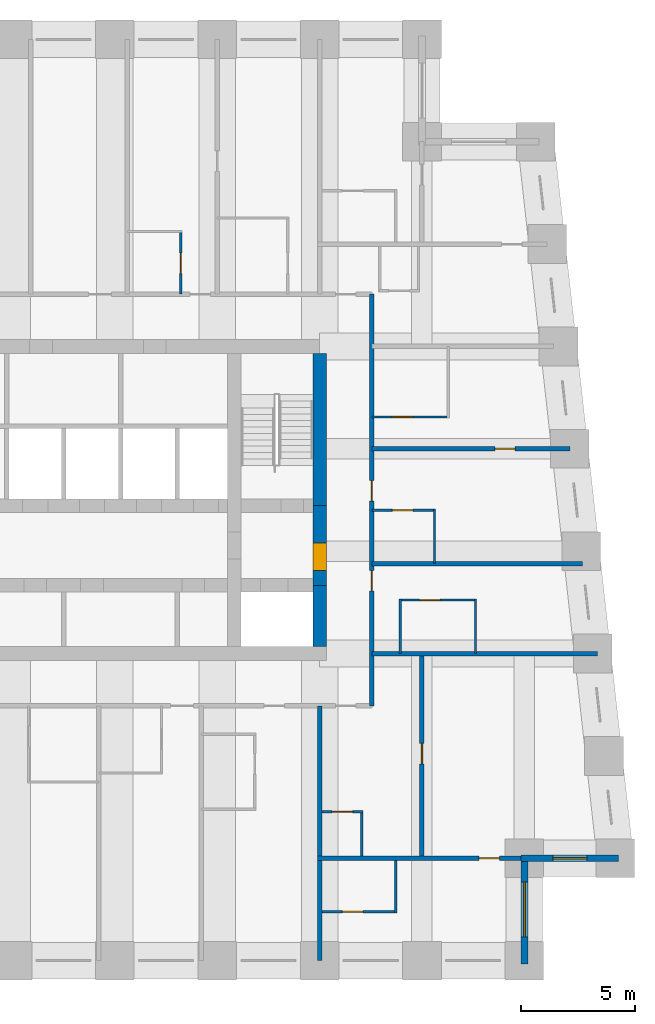
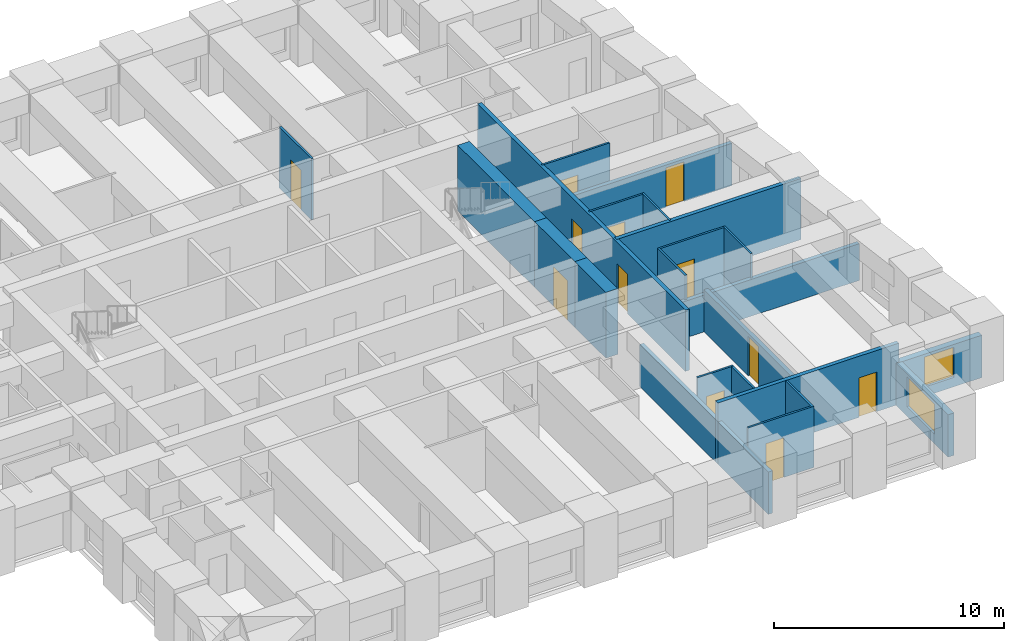
# One storey, part 5 of 8: 23 walls, 12 doors, 2 windows, 14 openings.
"""IFC4 building model written with IfcOpenShell, lengths in metres."""

from ifc_helpers import new_model, si_unit, direction, frame, frame_2d, origin, place, context, subcontext, project, spatial, rectangle, extrude, material, layer, layer_set, type_object, element, fill, save


model = new_model("IFC4")

# Units and contexts
model_context = context("Model", 3, precision=1e-05, world=origin(), true_north=direction((0.0, 1.0)))
body_context = subcontext(model_context, "Body", "Model", "MODEL_VIEW")
ifc_project = project(units=[si_unit("LENGTHUNIT", "METRE"), si_unit("AREAUNIT", "SQUARE_METRE"), si_unit("VOLUMEUNIT", "CUBIC_METRE"), si_unit("PLANEANGLEUNIT", "RADIAN"), si_unit("MASSUNIT", "GRAM", prefix="KILO")], contexts=[model_context])

# Site, building, storey
site_placement = place(None, origin())
site = spatial("IfcSite", under=ifc_project, at=site_placement, CompositionType="ELEMENT")
building_placement = place(site_placement, origin())
building = spatial("IfcBuilding", under=site, at=building_placement, Name="Kilele Tower Hotel", CompositionType="ELEMENT")
storey_placement = place(building_placement, frame((0.0, 0.0, 197.39990234375)))
storey = spatial("IfcBuildingStorey", under=building, at=storey_placement, Name="L51", CompositionType="ELEMENT", Elevation=197.39990234375)

# Walls
ifc_material_1 = material(Name="Moisture-resistant board")
ifc_layer_1 = layer(ifc_material_1, 0.10009765625)
ifc_layer_set_1 = layer_set([ifc_layer_1], Name="Moisture-resistant board")
wall_type_1 = type_object("IfcWallType", Name="Bathroom partition 100", PredefinedType="PLUMBINGWALL", material=ifc_layer_set_1)
for number, where, z_axis, x_axis, name in (
    (1, (39.550048828125, 13.5, 0.0), (0.0, 0.0, 1.0), (0.0, 1.0, 0.0), "Bathroom partition 100 L51"),
    (2, (42.85009765625, 13.5, 0.0), (0.0, 0.0, 1.0), (0.0, 1.0, 0.0), "Bathroom partition 100 L51"),
):
    element("IfcWall", number, at=place(storey_placement, frame(where, z_axis=z_axis, x_axis=x_axis)), inside=storey, type_object=wall_type_1, Name=name, PredefinedType="PLUMBINGWALL", context=body_context, shape_type="SweptSolid", body=[
        extrude(rectangle(XDim=2.39990234375, YDim=0.10009765625, at=frame_2d((1.199951171875, 0.0))), origin(), (0.0, 0.0, 1.0), 3.25),
    ])

# Wall, opening, door
wall_1_placement = place(storey_placement, frame((39.5, 15.85009765625, 0.0), z_axis=(0.0, 0.0, 1.0), x_axis=(1.0, 0.0, 0.0)))
wall_1 = element("IfcWall", 3, at=wall_1_placement, inside=storey, type_object=wall_type_1, Name="Bathroom partition 100 L51", PredefinedType="PLUMBINGWALL", context=body_context, shape_type="SweptSolid", body=[
    extrude(rectangle(XDim=3.39990234375, YDim=0.10009765625, at=frame_2d((1.699951171875, 0.0))), origin(), (0.0, 0.0, 1.0), 3.25),
])
opening_1_placement = place(wall_1_placement, frame((0.89990234375, 0.0, 0.0)))
opening_1 = element("IfcOpeningElement", 4, at=opening_1_placement, cuts=wall_1, Name="Opening D2A", PredefinedType="OPENING", context=body_context, shape_type="SweptSolid", body=[
    extrude(rectangle(XDim=0.89990234375, YDim=2.10009765625, at=frame_2d((0.449951171875, 1.050048828125))), frame((0.0, 0.06005859375, 0.0), z_axis=(0.0, -1.0, 0.0), x_axis=(1.0, 0.0, 0.0)), (0.0, 0.0, 1.0), 0.1201171875),
])
ifc_material_2 = material(Name="Timber door leaf in hardwood frame", Category="wood")
door_type_1 = type_object("IfcDoorType", Name="Bathroom door 900", OperationType="SINGLE_SWING_LEFT", PredefinedType="DOOR", material=ifc_material_2)
door_1_placement = place(opening_1_placement, origin())
door_1 = element("IfcDoor", 5, at=door_1_placement, inside=storey, type_object=door_type_1, Name="Bathroom door 5106B", OperationType="SINGLE_SWING_LEFT", OverallHeight=2.10009765625, OverallWidth=0.89990234375, PredefinedType="DOOR", context=body_context, shape_type="SweptSolid", body=[
    extrude(rectangle(XDim=0.89990234375, YDim=2.10009765625, at=frame_2d((0.449951171875, 1.050048828125))), frame((0.0, 0.02490234375, 0.0), z_axis=(0.0, -1.0, 0.0), x_axis=(1.0, 0.0, 0.0)), (0.0, 0.0, 1.0), 0.050048828125),
])
fill(opening_1, door_1)

# Wall
wall_2_placement = place(storey_placement, frame((41.050048828125, 17.449951171875, 0.0), z_axis=(0.0, 0.0, 1.0), x_axis=(0.0, 1.0, 0.0)))
element("IfcWall", 6, at=wall_2_placement, inside=storey, type_object=wall_type_1, Name="Bathroom partition 100 L51", PredefinedType="PLUMBINGWALL", context=body_context, shape_type="SweptSolid", body=[
    extrude(rectangle(XDim=2.400146484375, YDim=0.10009765625, at=frame_2d((1.2001953125, 0.0))), origin(), (0.0, 0.0, 1.0), 3.25),
])

# Wall, opening, door
wall_3_placement = place(storey_placement, frame((38.300048828125, 19.800048828125, 0.0), z_axis=(0.0, 0.0, 1.0), x_axis=(1.0, 0.0, 0.0)))
wall_3 = element("IfcWall", 7, at=wall_3_placement, inside=storey, type_object=wall_type_1, Name="Bathroom partition 100 L51", PredefinedType="PLUMBINGWALL", context=body_context, shape_type="SweptSolid", body=[
    extrude(rectangle(XDim=2.800048828125, YDim=0.10009765625, at=frame_2d((1.39990234375, 0.0))), origin(), (0.0, 0.0, 1.0), 3.25),
])
opening_2_placement = place(wall_3_placement, frame((0.89990234375, 0.0, 0.0)))
opening_2 = element("IfcOpeningElement", 8, at=opening_2_placement, cuts=wall_3, Name="Opening D2A", PredefinedType="OPENING", context=body_context, shape_type="SweptSolid", body=[
    extrude(rectangle(XDim=0.89990234375, YDim=2.10009765625, at=frame_2d((0.449951171875, 1.050048828125))), frame((0.0, 0.06005859375, 0.0), z_axis=(0.0, -1.0, 0.0), x_axis=(1.0, 0.0, 0.0)), (0.0, 0.0, 1.0), 0.1201171875),
])
door_2_placement = place(opening_2_placement, origin())
door_2 = element("IfcDoor", 9, at=door_2_placement, inside=storey, type_object=door_type_1, Name="Bathroom door 5107B", OperationType="SINGLE_SWING_LEFT", OverallHeight=2.10009765625, OverallWidth=0.89990234375, PredefinedType="DOOR", context=body_context, shape_type="SweptSolid", body=[
    extrude(rectangle(XDim=0.89990234375, YDim=2.10009765625, at=frame_2d((0.449951171875, 1.050048828125))), frame((0.0, 0.02490234375, 0.0), z_axis=(0.0, -1.0, 0.0), x_axis=(1.0, 0.0, 0.0)), (0.0, 0.0, 1.0), 0.050048828125),
])
fill(opening_2, door_2)

wall_4_placement = place(storey_placement, frame((38.300048828125, 23.89990234375, 0.0), z_axis=(0.0, 0.0, 1.0), x_axis=(1.0, 0.0, 0.0)))
wall_4 = element("IfcWall", 10, at=wall_4_placement, inside=storey, type_object=wall_type_1, Name="Bathroom partition 100 L51", PredefinedType="PLUMBINGWALL", context=body_context, shape_type="SweptSolid", body=[
    extrude(rectangle(XDim=3.39990234375, YDim=0.10009765625, at=frame_2d((1.699951171875, 0.0))), origin(), (0.0, 0.0, 1.0), 3.25),
])
opening_3_placement = place(wall_4_placement, frame((1.7998046875, 0.0, 0.0), z_axis=(0.0, 0.0, 1.0), x_axis=(-1.0, 0.0, 0.0)))
opening_3 = element("IfcOpeningElement", 11, at=opening_3_placement, cuts=wall_4, Name="Opening D2A", PredefinedType="OPENING", context=body_context, shape_type="SweptSolid", body=[
    extrude(rectangle(XDim=0.89990234375, YDim=2.10009765625, at=frame_2d((0.449951171875, 1.050048828125))), frame((0.0, 0.06005859375, 0.0), z_axis=(0.0, -1.0, 0.0), x_axis=(1.0, 0.0, 0.0)), (0.0, 0.0, 1.0), 0.1201171875),
])
door_3_placement = place(opening_3_placement, origin())
door_3 = element("IfcDoor", 12, at=door_3_placement, inside=storey, type_object=door_type_1, Name="Bathroom door 5108B", OperationType="SINGLE_SWING_RIGHT", OverallHeight=2.10009765625, OverallWidth=0.89990234375, PredefinedType="DOOR", context=body_context, shape_type="SweptSolid", body=[
    extrude(rectangle(XDim=0.89990234375, YDim=2.10009765625, at=frame_2d((0.449951171875, 1.050048828125))), frame((0.0, 0.02490234375, 0.0), z_axis=(0.0, -1.0, 0.0), x_axis=(1.0, 0.0, 0.0)), (0.0, 0.0, 1.0), 0.050048828125),
])
fill(opening_3, door_3)

wall_5_placement = place(storey_placement, frame((29.89990234375, 29.300048828125, 0.0), z_axis=(0.0, 0.0, 1.0), x_axis=(0.0, 1.0, 0.0)))
wall_5 = element("IfcWall", 13, at=wall_5_placement, inside=storey, type_object=wall_type_1, Name="Bathroom partition 100 L51", PredefinedType="PLUMBINGWALL", context=body_context, shape_type="SweptSolid", body=[
    extrude(rectangle(XDim=2.800048828125, YDim=0.10009765625, at=frame_2d((1.39990234375, 0.0))), origin(), (0.0, 0.0, 1.0), 3.25),
])
opening_4_placement = place(wall_5_placement, frame((1.7998046875, 0.0, 0.0), z_axis=(0.0, 0.0, 1.0), x_axis=(-1.0, 0.0, 0.0)))
opening_4 = element("IfcOpeningElement", 14, at=opening_4_placement, cuts=wall_5, Name="Opening D2A", PredefinedType="OPENING", context=body_context, shape_type="SweptSolid", body=[
    extrude(rectangle(XDim=0.89990234375, YDim=2.10009765625, at=frame_2d((0.449951171875, 1.050048828125))), frame((0.0, 0.06005859375, 0.0), z_axis=(0.0, -1.0, 0.0), x_axis=(1.0, 0.0, 0.0)), (0.0, 0.0, 1.0), 0.1201171875),
])
door_4_placement = place(opening_4_placement, origin())
door_4 = element("IfcDoor", 15, at=door_4_placement, inside=storey, type_object=door_type_1, Name="Bathroom door 5112B", OperationType="SINGLE_SWING_RIGHT", OverallHeight=2.10009765625, OverallWidth=0.89990234375, PredefinedType="DOOR", context=body_context, shape_type="SweptSolid", body=[
    extrude(rectangle(XDim=0.89990234375, YDim=2.10009765625, at=frame_2d((0.449951171875, 1.050048828125))), frame((0.0, 0.02490234375, 0.0), z_axis=(0.0, -1.0, 0.0), x_axis=(1.0, 0.0, 0.0)), (0.0, 0.0, 1.0), 0.050048828125),
])
fill(opening_4, door_4)

# Wall
wall_6_placement = place(storey_placement, frame((37.85009765625, 4.60009765625, 0.0), z_axis=(0.0, 0.0, 1.0), x_axis=(0.0, 1.0, 0.0)))
element("IfcWall", 16, at=wall_6_placement, inside=storey, type_object=wall_type_1, Name="Bathroom partition 100 L51", PredefinedType="PLUMBINGWALL", context=body_context, shape_type="SweptSolid", body=[
    extrude(rectangle(XDim=2.0, YDim=0.10009765625, at=frame_2d((1.0, 0.0))), origin(), (0.0, 0.0, 1.0), 3.25),
])

# Wall, opening, door
wall_7_placement = place(storey_placement, frame((36.10009765625, 6.550048828125, 0.0), z_axis=(0.0, 0.0, 1.0), x_axis=(1.0, 0.0, 0.0)))
wall_7 = element("IfcWall", 17, at=wall_7_placement, inside=storey, type_object=wall_type_1, Name="Bathroom partition 100 L51", PredefinedType="PLUMBINGWALL", context=body_context, shape_type="SweptSolid", body=[
    extrude(rectangle(XDim=1.7998046875, YDim=0.10009765625, at=frame_2d((0.89990234375, 0.0))), origin(), (0.0, 0.0, 1.0), 3.25),
])
opening_5_placement = place(wall_7_placement, frame((0.449951171875, 0.0, 0.0)))
opening_5 = element("IfcOpeningElement", 18, at=opening_5_placement, cuts=wall_7, Name="Opening D2A", PredefinedType="OPENING", context=body_context, shape_type="SweptSolid", body=[
    extrude(rectangle(XDim=0.89990234375, YDim=2.10009765625, at=frame_2d((0.449951171875, 1.050048828125))), frame((0.0, 0.06005859375, 0.0), z_axis=(0.0, -1.0, 0.0), x_axis=(1.0, 0.0, 0.0)), (0.0, 0.0, 1.0), 0.1201171875),
])
door_5_placement = place(opening_5_placement, origin())
door_5 = element("IfcDoor", 19, at=door_5_placement, inside=storey, type_object=door_type_1, Name="Bathroom door 5119P", OperationType="SINGLE_SWING_LEFT", OverallHeight=2.10009765625, OverallWidth=0.89990234375, PredefinedType="DOOR", context=body_context, shape_type="SweptSolid", body=[
    extrude(rectangle(XDim=0.89990234375, YDim=2.10009765625, at=frame_2d((0.449951171875, 1.050048828125))), frame((0.0, 0.02490234375, 0.0), z_axis=(0.0, -1.0, 0.0), x_axis=(1.0, 0.0, 0.0)), (0.0, 0.0, 1.0), 0.050048828125),
])
fill(opening_5, door_5)

# Wall
wall_8_placement = place(storey_placement, frame((39.35009765625, 4.39990234375, 0.0), z_axis=(0.0, 0.0, 1.0), x_axis=(0.0, -1.0, 0.0)))
element("IfcWall", 20, at=wall_8_placement, inside=storey, type_object=wall_type_1, Name="Bathroom partition 100 L51", PredefinedType="PLUMBINGWALL", context=body_context, shape_type="SweptSolid", body=[
    extrude(rectangle(XDim=2.2998046875, YDim=0.10009765625, at=frame_2d((1.14990234375, 0.0))), origin(), (0.0, 0.0, 1.0), 3.25),
])

# Wall, opening, door
wall_9_placement = place(storey_placement, frame((36.10009765625, 2.14990234375, 0.0), z_axis=(0.0, 0.0, 1.0), x_axis=(1.0, 0.0, 0.0)))
wall_9 = element("IfcWall", 21, at=wall_9_placement, inside=storey, type_object=wall_type_1, Name="Bathroom partition 100 L51", PredefinedType="PLUMBINGWALL", context=body_context, shape_type="SweptSolid", body=[
    extrude(rectangle(XDim=3.2998046875, YDim=0.10009765625, at=frame_2d((1.64990234375, 0.0))), origin(), (0.0, 0.0, 1.0), 3.25),
])
opening_6_placement = place(wall_9_placement, frame((1.7998046875, 0.0, 0.0), z_axis=(0.0, 0.0, 1.0), x_axis=(-1.0, 0.0, 0.0)))
opening_6 = element("IfcOpeningElement", 22, at=opening_6_placement, cuts=wall_9, Name="Opening D2A", PredefinedType="OPENING", context=body_context, shape_type="SweptSolid", body=[
    extrude(rectangle(XDim=0.89990234375, YDim=2.10009765625, at=frame_2d((0.449951171875, 1.050048828125))), frame((0.0, 0.06005859375, 0.0), z_axis=(0.0, -1.0, 0.0), x_axis=(1.0, 0.0, 0.0)), (0.0, 0.0, 1.0), 0.1201171875),
])
door_6_placement = place(opening_6_placement, origin())
door_6 = element("IfcDoor", 23, at=door_6_placement, inside=storey, type_object=door_type_1, Name="Bathroom door 5121B", OperationType="SINGLE_SWING_RIGHT", OverallHeight=2.10009765625, OverallWidth=0.89990234375, PredefinedType="DOOR", context=body_context, shape_type="SweptSolid", body=[
    extrude(rectangle(XDim=0.89990234375, YDim=2.10009765625, at=frame_2d((0.449951171875, 1.050048828125))), frame((0.0, 0.02490234375, 0.0), z_axis=(0.0, -1.0, 0.0), x_axis=(1.0, 0.0, 0.0)), (0.0, 0.0, 1.0), 0.050048828125),
])
fill(opening_6, door_6)

# Wall
ifc_material_3 = material(Name="Concrete C70/85", Category="concrete")
ifc_layer_2 = layer(ifc_material_3, 0.60009765625)
ifc_layer_set_2 = layer_set([ifc_layer_2], Name="Concrete C70/85")
wall_type_2 = type_object("IfcWallType", Name="Core wall 600 C70/85", PredefinedType="SHEAR", material=ifc_layer_set_2)
wall_10_placement = place(storey_placement, frame((36.0, 13.800048828125, 0.0), z_axis=(0.0, 0.0, 1.0), x_axis=(0.0, 1.0, 0.0)))
element("IfcWall", 24, at=wall_10_placement, inside=storey, type_object=wall_type_2, Name="Core wall E1 L51", PredefinedType="SHEAR", context=body_context, shape_type="SweptSolid", body=[
    extrude(rectangle(XDim=2.699951171875, YDim=0.60009765625, at=frame_2d((1.35009765625, 0.0))), origin(), (0.0, 0.0, 1.0), 3.5),
])

# Wall, opening, door
wall_11_placement = place(storey_placement, frame((36.0, 16.5, 0.0), z_axis=(0.0, 0.0, 1.0), x_axis=(0.0, 1.0, 0.0)))
wall_11 = element("IfcWall", 25, at=wall_11_placement, inside=storey, type_object=wall_type_2, Name="Core wall E2 L51", PredefinedType="SHEAR", context=body_context, shape_type="SweptSolid", body=[
    extrude(rectangle(XDim=3.5, YDim=0.60009765625, at=frame_2d((1.75, 0.0))), origin(), (0.0, 0.0, 1.0), 3.5),
])
opening_7_placement = place(wall_11_placement, frame((0.64990234375, 0.0, 0.0)))
opening_7 = element("IfcOpeningElement", 26, at=opening_7_placement, cuts=wall_11, Name="Opening D4", PredefinedType="OPENING", context=body_context, shape_type="SweptSolid", body=[
    extrude(rectangle(XDim=1.199951171875, YDim=2.10009765625, at=frame_2d((0.60009765625, 1.050048828125))), frame((0.0, 0.31005859375, 0.0), z_axis=(0.0, -1.0, 0.0), x_axis=(1.0, 0.0, 0.0)), (0.0, 0.0, 1.0), 0.6201171875),
])
ifc_material_4 = material(Name="Timber door leaf in hardwood frame", Category="wood")
door_type_2 = type_object("IfcDoorType", Name="Firefighting lobby door 1200", OperationType="SINGLE_SWING_LEFT", PredefinedType="DOOR", material=ifc_material_4)
door_7_placement = place(opening_7_placement, origin())
door_7 = element("IfcDoor", 27, at=door_7_placement, inside=storey, type_object=door_type_2, Name="Lobby door L51", OperationType="SINGLE_SWING_LEFT", OverallHeight=2.10009765625, OverallWidth=1.199951171875, PredefinedType="DOOR", context=body_context, shape_type="SweptSolid", body=[
    extrude(rectangle(XDim=1.199951171875, YDim=2.10009765625, at=frame_2d((0.60009765625, 1.050048828125))), frame((0.0, 0.2998046875, 0.0), z_axis=(0.0, -1.0, 0.0), x_axis=(1.0, 0.0, 0.0)), (0.0, 0.0, 1.0), 0.599609375),
])
fill(opening_7, door_7)

# Wall
wall_12_placement = place(storey_placement, frame((36.0, 20.0, 0.0), z_axis=(0.0, 0.0, 1.0), x_axis=(0.0, 1.0, 0.0)))
element("IfcWall", 28, at=wall_12_placement, inside=storey, type_object=wall_type_2, Name="Core wall E3 L51", PredefinedType="SHEAR", context=body_context, shape_type="SweptSolid", body=[
    extrude(rectangle(XDim=6.699951171875, YDim=0.60009765625, at=frame_2d((3.35009765625, 0.0))), origin(), (0.0, 0.0, 1.0), 3.5),
])

# Wall, openings, doors
ifc_material_5 = material(Name="Blockwork, plastered both sides", Category="masonry")
ifc_layer_3 = layer(ifc_material_5, 0.199951171875)
ifc_layer_set_3 = layer_set([ifc_layer_3], Name="Blockwork, plastered both sides")
wall_type_3 = type_object("IfcWallType", Name="Corridor wall 200", PredefinedType="PARTITIONING", material=ifc_layer_set_3)
wall_13_placement = place(storey_placement, frame((38.300048828125, 11.199951171875, 0.0), z_axis=(0.0, 0.0, 1.0), x_axis=(0.0, 1.0, 0.0)))
wall_13 = element("IfcWall", 29, at=wall_13_placement, inside=storey, type_object=wall_type_3, Name="Corridor wall 200 L51", PredefinedType="PARTITIONING", context=body_context, shape_type="SweptSolid", body=[
    extrude(rectangle(XDim=18.10009765625, YDim=0.199951171875, at=frame_2d((9.050048828125, 0.0))), origin(), (0.0, 0.0, 1.0), 3.25),
])
opening_8_placement = place(wall_13_placement, frame((5.949951171875, 0.0, 0.0), z_axis=(0.0, 0.0, 1.0), x_axis=(-1.0, 0.0, 0.0)))
opening_8 = element("IfcOpeningElement", 30, at=opening_8_placement, cuts=wall_13, Name="Opening D1", PredefinedType="OPENING", context=body_context, shape_type="SweptSolid", body=[
    extrude(rectangle(XDim=0.89990234375, YDim=2.10009765625, at=frame_2d((0.449951171875, 1.050048828125))), frame((0.0, 0.10986328125, 0.0), z_axis=(0.0, -1.0, 0.0), x_axis=(1.0, 0.0, 0.0)), (0.0, 0.0, 1.0), 0.219970703125),
])
opening_9_placement = place(wall_13_placement, frame((9.89990234375, 0.0, 0.0), z_axis=(0.0, 0.0, 1.0), x_axis=(-1.0, 0.0, 0.0)))
opening_9 = element("IfcOpeningElement", 31, at=opening_9_placement, cuts=wall_13, Name="Opening D1", PredefinedType="OPENING", context=body_context, shape_type="SweptSolid", body=[
    extrude(rectangle(XDim=0.89990234375, YDim=2.10009765625, at=frame_2d((0.449951171875, 1.050048828125))), frame((0.0, 0.10986328125, 0.0), z_axis=(0.0, -1.0, 0.0), x_axis=(1.0, 0.0, 0.0)), (0.0, 0.0, 1.0), 0.219970703125),
])
ifc_material_6 = material(Name="Timber door leaf in hardwood frame", Category="wood")
door_type_3 = type_object("IfcDoorType", Name="Guest room entrance door 900", OperationType="SINGLE_SWING_LEFT", PredefinedType="DOOR", material=ifc_material_6)
door_8_placement = place(opening_8_placement, origin())
door_8 = element("IfcDoor", 32, at=door_8_placement, inside=storey, type_object=door_type_3, Name="Room entrance 5106", OperationType="SINGLE_SWING_LEFT", OverallHeight=2.10009765625, OverallWidth=0.89990234375, PredefinedType="DOOR", context=body_context, shape_type="SweptSolid", body=[
    extrude(rectangle(XDim=0.89990234375, YDim=2.10009765625, at=frame_2d((0.449951171875, 1.050048828125))), frame((0.0, 0.02490234375, 0.0), z_axis=(0.0, -1.0, 0.0), x_axis=(1.0, 0.0, 0.0)), (0.0, 0.0, 1.0), 0.050048828125),
])
fill(opening_8, door_8)
door_9_placement = place(opening_9_placement, origin())
door_9 = element("IfcDoor", 33, at=door_9_placement, inside=storey, type_object=door_type_3, Name="Room entrance 5107", OperationType="SINGLE_SWING_RIGHT", OverallHeight=2.10009765625, OverallWidth=0.89990234375, PredefinedType="DOOR", context=body_context, shape_type="SweptSolid", body=[
    extrude(rectangle(XDim=0.89990234375, YDim=2.10009765625, at=frame_2d((0.449951171875, 1.050048828125))), frame((0.0, 0.02490234375, 0.0), z_axis=(0.0, -1.0, 0.0), x_axis=(1.0, 0.0, 0.0)), (0.0, 0.0, 1.0), 0.050048828125),
])
fill(opening_9, door_9)

# Wall, opening, door
ifc_material_7 = material(Name="Blockwork, plastered both sides", Category="masonry")
ifc_layer_4 = layer(ifc_material_7, 0.199951171875)
ifc_layer_set_4 = layer_set([ifc_layer_4], Name="Blockwork, plastered both sides")
wall_type_4 = type_object("IfcWallType", Name="Partition wall 200", PredefinedType="PARTITIONING", material=ifc_layer_set_4)
wall_14_placement = place(storey_placement, frame((40.5, 4.60009765625, 0.0), z_axis=(0.0, 0.0, 1.0), x_axis=(0.0, 1.0, 0.0)))
wall_14 = element("IfcWall", 34, at=wall_14_placement, inside=storey, type_object=wall_type_4, Name="Partition wall 200 L51", PredefinedType="PARTITIONING", context=body_context, shape_type="SweptSolid", body=[
    extrude(rectangle(XDim=8.7998046875, YDim=0.199951171875, at=frame_2d((4.39990234375, 0.0))), origin(), (0.0, 0.0, 1.0), 2.25),
])
opening_10_placement = place(wall_14_placement, frame((4.050048828125, 0.0, 0.0)))
opening_10 = element("IfcOpeningElement", 35, at=opening_10_placement, cuts=wall_14, Name="Opening D3", PredefinedType="OPENING", context=body_context, shape_type="SweptSolid", body=[
    extrude(rectangle(XDim=0.89990234375, YDim=2.10009765625, at=frame_2d((0.449951171875, 1.050048828125))), frame((0.0, 0.10986328125, 0.0), z_axis=(0.0, -1.0, 0.0), x_axis=(1.0, 0.0, 0.0)), (0.0, 0.0, 1.0), 0.219970703125),
])
ifc_material_8 = material(Name="Timber door leaf in hardwood frame", Category="wood")
door_type_4 = type_object("IfcDoorType", Name="Suite internal door 900", OperationType="SINGLE_SWING_LEFT", PredefinedType="DOOR", material=ifc_material_8)
door_10_placement = place(opening_10_placement, origin())
door_10 = element("IfcDoor", 36, at=door_10_placement, inside=storey, type_object=door_type_4, Name="Suite door 5120", OperationType="SINGLE_SWING_RIGHT", OverallHeight=2.10009765625, OverallWidth=0.89990234375, PredefinedType="DOOR", context=body_context, shape_type="SweptSolid", body=[
    extrude(rectangle(XDim=0.89990234375, YDim=2.10009765625, at=frame_2d((0.449951171875, 1.050048828125))), frame((0.0, 0.02490234375, 0.0), z_axis=(0.0, -1.0, 0.0), x_axis=(1.0, 0.0, 0.0)), (0.0, 0.0, 1.0), 0.050048828125),
])
fill(opening_10, door_10)

# Wall
ifc_material_9 = material(Name="Blockwork, plastered both sides", Category="masonry")
ifc_layer_5 = layer(ifc_material_9, 0.199951171875)
ifc_layer_set_5 = layer_set([ifc_layer_5], Name="Blockwork, plastered both sides")
wall_type_5 = type_object("IfcWallType", Name="Party wall 200", PredefinedType="PARTITIONING", material=ifc_layer_set_5)
wall_15_placement = place(storey_placement, frame((38.300048828125, 17.449951171875, 0.0), z_axis=(0.0, 0.0, 1.0), x_axis=(1.0, 0.0, 0.0)))
element("IfcWall", 37, at=wall_15_placement, inside=storey, type_object=wall_type_5, Name="Party wall 200 L51", PredefinedType="PARTITIONING", context=body_context, shape_type="SweptSolid", body=[
    extrude(rectangle(XDim=9.26025390625, YDim=0.199951171875, at=frame_2d((4.630126953125, 0.0))), origin(), (0.0, 0.0, 1.0), 3.25),
])

# Wall, opening, door
wall_16_placement = place(storey_placement, frame((38.300048828125, 22.5, 0.0), z_axis=(0.0, 0.0, 1.0), x_axis=(1.0, 0.0, 0.0)))
wall_16 = element("IfcWall", 38, at=wall_16_placement, inside=storey, type_object=wall_type_5, Name="Party wall 200 L51", PredefinedType="PARTITIONING", context=body_context, shape_type="SweptSolid", body=[
    extrude(rectangle(XDim=8.698974609375, YDim=0.199951171875, at=frame_2d((4.349609375, 0.0))), origin(), (0.0, 0.0, 1.0), 2.25),
])
opening_11_placement = place(wall_16_placement, frame((5.39990234375, 0.0, 0.0)))
opening_11 = element("IfcOpeningElement", 39, at=opening_11_placement, cuts=wall_16, Name="Opening D3", PredefinedType="OPENING", context=body_context, shape_type="SweptSolid", body=[
    extrude(rectangle(XDim=0.89990234375, YDim=2.10009765625, at=frame_2d((0.449951171875, 1.050048828125))), frame((0.0, 0.10986328125, 0.0), z_axis=(0.0, -1.0, 0.0), x_axis=(1.0, 0.0, 0.0)), (0.0, 0.0, 1.0), 0.219970703125),
])
door_11_placement = place(opening_11_placement, origin())
door_11 = element("IfcDoor", 40, at=door_11_placement, inside=storey, type_object=door_type_4, Name="Suite door 5108", OperationType="SINGLE_SWING_RIGHT", OverallHeight=2.10009765625, OverallWidth=0.89990234375, PredefinedType="DOOR", context=body_context, shape_type="SweptSolid", body=[
    extrude(rectangle(XDim=0.89990234375, YDim=2.10009765625, at=frame_2d((0.449951171875, 1.050048828125))), frame((0.0, 0.02490234375, 0.0), z_axis=(0.0, -1.0, 0.0), x_axis=(1.0, 0.0, 0.0)), (0.0, 0.0, 1.0), 0.050048828125),
])
fill(opening_11, door_11)

# Walls
wall_17_placement = place(storey_placement, frame((38.300048828125, 13.5, 0.0), z_axis=(0.0, 0.0, 1.0), x_axis=(1.0, 0.0, 0.0)))
element("IfcWall", 41, at=wall_17_placement, inside=storey, type_object=wall_type_5, Name="Party wall 200 L51", PredefinedType="PARTITIONING", context=body_context, shape_type="SweptSolid", body=[
    extrude(rectangle(XDim=9.921142578125, YDim=0.199951171875, at=frame_2d((4.96044921875, 0.0))), origin(), (0.0, 0.0, 1.0), 1.9501953125),
])
wall_18_placement = place(storey_placement, frame((36.0, 11.199951171875, 0.0), z_axis=(0.0, 0.0, 1.0), x_axis=(0.0, -1.0, 0.0)))
element("IfcWall", 42, at=wall_18_placement, inside=storey, type_object=wall_type_5, Name="Party wall 200 L51", PredefinedType="PARTITIONING", context=body_context, shape_type="SweptSolid", body=[
    extrude(rectangle(XDim=11.199951171875, YDim=0.199951171875, at=frame_2d((5.60009765625, 0.0))), origin(), (0.0, 0.0, 1.0), 2.25),
])

# Wall, opening, door
wall_19_placement = place(storey_placement, frame((35.89990234375, 4.5, 0.0), z_axis=(0.0, 0.0, 1.0), x_axis=(1.0, 0.0, 0.0)))
wall_19 = element("IfcWall", 43, at=wall_19_placement, inside=storey, type_object=wall_type_5, Name="Party wall 200 L51", PredefinedType="PARTITIONING", context=body_context, shape_type="SweptSolid", body=[
    extrude(rectangle(XDim=9.10009765625, YDim=0.199951171875, at=frame_2d((4.550048828125, 0.0))), origin(), (0.0, 0.0, 1.0), 3.25),
])
opening_12_placement = place(wall_19_placement, frame((7.10009765625, 0.0, 0.0)))
opening_12 = element("IfcOpeningElement", 44, at=opening_12_placement, cuts=wall_19, Name="Opening D3", PredefinedType="OPENING", context=body_context, shape_type="SweptSolid", body=[
    extrude(rectangle(XDim=0.89990234375, YDim=2.10009765625, at=frame_2d((0.449951171875, 1.050048828125))), frame((0.0, 0.10986328125, 0.0), z_axis=(0.0, -1.0, 0.0), x_axis=(1.0, 0.0, 0.0)), (0.0, 0.0, 1.0), 0.219970703125),
])
door_12_placement = place(opening_12_placement, origin())
door_12 = element("IfcDoor", 45, at=door_12_placement, inside=storey, type_object=door_type_4, Name="Suite door 5121", OperationType="SINGLE_SWING_RIGHT", OverallHeight=2.10009765625, OverallWidth=0.89990234375, PredefinedType="DOOR", context=body_context, shape_type="SweptSolid", body=[
    extrude(rectangle(XDim=0.89990234375, YDim=2.10009765625, at=frame_2d((0.449951171875, 1.050048828125))), frame((0.0, 0.02490234375, 0.0), z_axis=(0.0, -1.0, 0.0), x_axis=(1.0, 0.0, 0.0)), (0.0, 0.0, 1.0), 0.050048828125),
])
fill(opening_12, door_12)

# Wall, opening, window
ifc_material_10 = material(Name="Concrete C40/50 precast", Category="concrete")
ifc_layer_6 = layer(ifc_material_10, 0.260009765625, Name="Precast backing", Category="LoadBearing")
ifc_material_11 = material(Name="Reconstituted stone finish", Category="masonry")
ifc_layer_7 = layer(ifc_material_11, 0.0400390625, Name="Face mix", Category="Finish")
ifc_layer_set_6 = layer_set([ifc_layer_6, ifc_layer_7], Name="Precast concrete C40/50, reconstituted stone finish")
wall_type_6 = type_object("IfcWallType", Name="Precast stone facade wall 300", PredefinedType="STANDARD", material=ifc_layer_set_6)
wall_20_placement = place(storey_placement, frame((45.0, -0.14990234375, 0.0), z_axis=(0.0, 0.0, 1.0), x_axis=(0.0, 1.0, 0.0)))
wall_20 = element("IfcWall", 46, at=wall_20_placement, inside=storey, type_object=wall_type_6, Name="Facade wall L51 edge 4", PredefinedType="STANDARD", context=body_context, shape_type="SweptSolid", body=[
    extrude(rectangle(XDim=4.7998046875, YDim=0.300048828125, at=frame_2d((2.39990234375, 0.0))), origin(), (0.0, 0.0, 1.0), 2.25),
])
opening_13_placement = place(wall_20_placement, frame((1.199951171875, 0.0, 0.5)))
opening_13 = element("IfcOpeningElement", 47, at=opening_13_placement, cuts=wall_20, Name="Opening W3", PredefinedType="OPENING", context=body_context, shape_type="SweptSolid", body=[
    extrude(rectangle(XDim=2.39990234375, YDim=1.60009765625, at=frame_2d((1.199951171875, 0.800048828125))), frame((0.0, 0.159912109375, 0.0), z_axis=(0.0, -1.0, 0.0), x_axis=(1.0, 0.0, 0.0)), (0.0, 0.0, 1.0), 0.320068359375),
])
ifc_material_12 = material(Name="Aluminium frame, clear double glazing", Category="aluminium")
window_type_1 = type_object("IfcWindowType", Name="Window W3 2400 x 1600", PartitioningType="SINGLE_PANEL", PredefinedType="WINDOW", material=ifc_material_12)
window_1_placement = place(opening_13_placement, origin())
window_1 = element("IfcWindow", 48, at=window_1_placement, inside=storey, type_object=window_type_1, Name="Window L51", OverallHeight=1.60009765625, OverallWidth=2.39990234375, PartitioningType="SINGLE_PANEL", PredefinedType="WINDOW", context=body_context, shape_type="SweptSolid", body=[
    extrude(rectangle(XDim=2.39990234375, YDim=1.60009765625, at=frame_2d((1.199951171875, 0.800048828125))), frame((0.0, 0.030029296875, 0.0), z_axis=(0.0, -1.0, 0.0), x_axis=(1.0, 0.0, 0.0)), (0.0, 0.0, 1.0), 0.06005859375),
])
fill(opening_13, window_1)

wall_21_placement = place(storey_placement, frame((44.85009765625, 4.5, 0.0), z_axis=(0.0, 0.0, 1.0), x_axis=(1.0, 0.0, 0.0)))
wall_21 = element("IfcWall", 49, at=wall_21_placement, inside=storey, type_object=wall_type_6, Name="Facade wall L51 edge 5", PredefinedType="STANDARD", context=body_context, shape_type="SweptSolid", body=[
    extrude(rectangle(XDim=4.2998046875, YDim=0.300048828125, at=frame_2d((2.14990234375, 0.0))), origin(), (0.0, 0.0, 1.0), 2.25),
])
opening_14_placement = place(wall_21_placement, frame((1.39990234375, 0.0, 0.5)))
opening_14 = element("IfcOpeningElement", 50, at=opening_14_placement, cuts=wall_21, Name="Opening W3", PredefinedType="OPENING", context=body_context, shape_type="SweptSolid", body=[
    extrude(rectangle(XDim=1.5, YDim=1.60009765625, at=frame_2d((0.75, 0.800048828125))), frame((0.0, 0.159912109375, 0.0), z_axis=(0.0, -1.0, 0.0), x_axis=(1.0, 0.0, 0.0)), (0.0, 0.0, 1.0), 0.320068359375),
])
ifc_material_13 = material(Name="Aluminium frame, clear double glazing", Category="aluminium")
window_type_2 = type_object("IfcWindowType", Name="Window W3 1500 x 1600", PartitioningType="SINGLE_PANEL", PredefinedType="WINDOW", material=ifc_material_13)
window_2_placement = place(opening_14_placement, origin())
window_2 = element("IfcWindow", 51, at=window_2_placement, inside=storey, type_object=window_type_2, Name="Window L51", OverallHeight=1.60009765625, OverallWidth=1.5, PartitioningType="SINGLE_PANEL", PredefinedType="WINDOW", context=body_context, shape_type="SweptSolid", body=[
    extrude(rectangle(XDim=1.5, YDim=1.60009765625, at=frame_2d((0.75, 0.800048828125))), frame((0.0, 0.030029296875, 0.0), z_axis=(0.0, -1.0, 0.0), x_axis=(1.0, 0.0, 0.0)), (0.0, 0.0, 1.0), 0.06005859375),
])
fill(opening_14, window_2)

save(model, "model.ifc")
